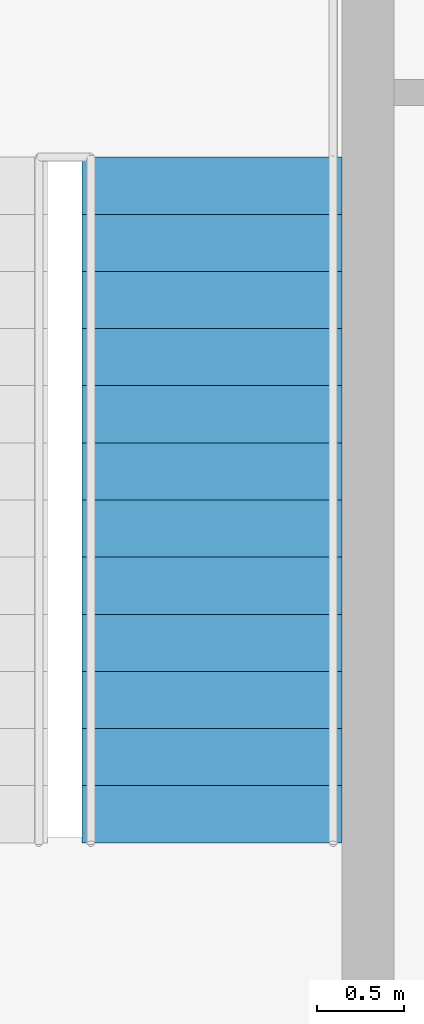
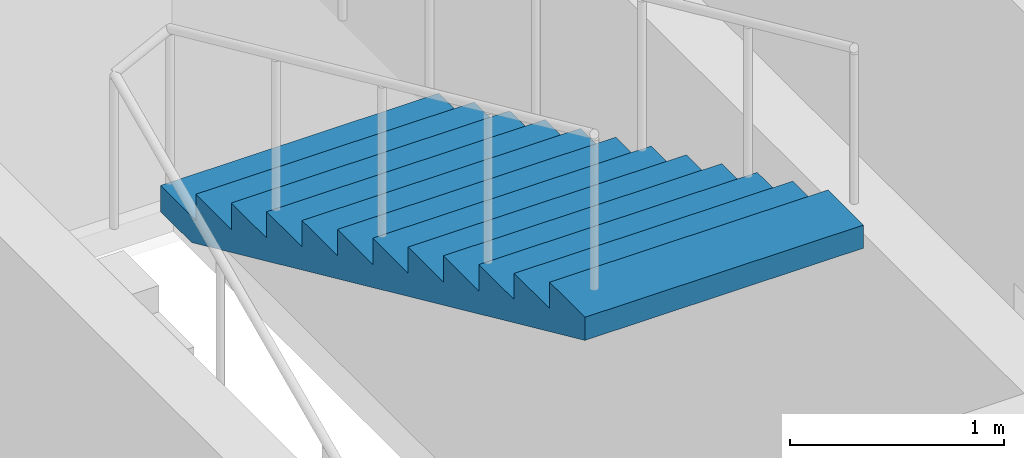
# One storey, part 10 of 11: 1 stair flight, 1 element without a shape of its own.
"""IFC4 building model written with IfcOpenShell, lengths in metres."""

from ifc_helpers import new_model, si_unit, direction, frame, origin, place, context, subcontext, project, spatial, polygons, material, type_object, element, aggregate, save


model = new_model("IFC4")

# Units and contexts
model_context = context("Model", 3, precision=1e-05, world=origin(), true_north=direction((0.0, 1.0)))
body_context = subcontext(model_context, "Body", "Model", "MODEL_VIEW")
ifc_project = project(units=[si_unit("LENGTHUNIT", "METRE"), si_unit("AREAUNIT", "SQUARE_METRE"), si_unit("VOLUMEUNIT", "CUBIC_METRE"), si_unit("PLANEANGLEUNIT", "RADIAN"), si_unit("MASSUNIT", "GRAM", prefix="KILO")], contexts=[model_context])

# Site, building, storey
site_placement = place(None, origin())
site = spatial("IfcSite", under=ifc_project, at=site_placement, CompositionType="ELEMENT")
building_placement = place(site_placement, origin())
building = spatial("IfcBuilding", under=site, at=building_placement, Name="Njiva Tower", CompositionType="ELEMENT")
storey_placement = place(building_placement, frame((0.0, 0.0, 223.8)))
storey = spatial("IfcBuildingStorey", under=building, at=storey_placement, Name="L50", CompositionType="ELEMENT", Elevation=223.8)

# Stair, stair flight
ifc_material = material(Name="Concrete C40/50", Category="concrete")
stair_type = type_object("IfcStairType", Name="ST4 Exit stair 1500", PredefinedType="HALF_TURN_STAIR", material=ifc_material)
stair_placement = place(storey_placement, origin())
stair = element("IfcStair", 1, at=stair_placement, inside=storey, type_object=stair_type, Name="Stair B", PredefinedType="HALF_TURN_STAIR")
stair_flight_type = type_object("IfcStairFlightType", Name="FL4 Stair flight 1500", PredefinedType="STRAIGHT", material=ifc_material)
stair_flight_placement = place(storey_placement, frame((13.45, 15.06, 1.95), z_axis=(0.0, 0.0, 1.0), x_axis=(0.0, -1.0, 0.0)))
stair_flight = element("IfcStairFlight", 2, at=stair_flight_placement, type_object=stair_flight_type, Name="ST-B flight 2", NumberOfRisers=13, NumberOfTreads=12, PredefinedType="STRAIGHT", RiserHeight=0.15, TreadLength=0.33, context=body_context, shape_type="Tessellation", body=[
    polygons([(0.0, 0.75, 0.0), (0.0, 0.375, 0.0), (0.0, 0.0, 0.0), (0.0, -0.375, 0.0), (0.0, -0.75, 0.0), (0.0, 0.75, 0.15), (0.0, 0.375, 0.15), (0.0, 0.0, 0.15), (0.0, -0.375, 0.15), (0.0, -0.75, 0.15), (0.33, 0.75, 0.15), (0.33, 0.375, 0.15), (0.33, 0.0, 0.15), (0.33, -0.375, 0.15), (0.33, -0.75, 0.15), (0.33, 0.75, 0.3), (0.33, 0.375, 0.3), (0.33, 0.0, 0.3), (0.33, -0.375, 0.3), (0.33, -0.75, 0.3), (0.66, 0.75, 0.3), (0.66, 0.375, 0.3), (0.66, 0.0, 0.3), (0.66, -0.375, 0.3), (0.66, -0.75, 0.3), (0.66, 0.75, 0.45), (0.66, 0.375, 0.45), (0.66, 0.0, 0.45), (0.66, -0.375, 0.45), (0.66, -0.75, 0.45), (0.99, 0.75, 0.45), (0.99, 0.375, 0.45), (0.99, 0.0, 0.45), (0.99, -0.375, 0.45), (0.99, -0.75, 0.45), (0.99, 0.75, 0.6), (0.99, 0.375, 0.6), (0.99, 0.0, 0.6), (0.99, -0.375, 0.6), (0.99, -0.75, 0.6), (1.32, 0.75, 0.6), (1.32, 0.375, 0.6), (1.32, 0.0, 0.6), (1.32, -0.375, 0.6), (1.32, -0.75, 0.6), (1.32, 0.75, 0.75), (1.32, 0.375, 0.75), (1.32, 0.0, 0.75), (1.32, -0.375, 0.75), (1.32, -0.75, 0.75), (1.65, 0.75, 0.75), (1.65, 0.375, 0.75), (1.65, 0.0, 0.75), (1.65, -0.375, 0.75), (1.65, -0.75, 0.75), (1.65, 0.75, 0.9), (1.65, 0.375, 0.9), (1.65, 0.0, 0.9), (1.65, -0.375, 0.9), (1.65, -0.75, 0.9), (1.98, 0.75, 0.9), (1.98, 0.375, 0.9), (1.98, 0.0, 0.9), (1.98, -0.375, 0.9), (1.98, -0.75, 0.9), (1.98, 0.75, 1.05), (1.98, 0.375, 1.05), (1.98, 0.0, 1.05), (1.98, -0.375, 1.05), (1.98, -0.75, 1.05), (2.31, 0.75, 1.05), (2.31, 0.375, 1.05), (2.31, 0.0, 1.05), (2.31, -0.375, 1.05), (2.31, -0.75, 1.05), (2.31, 0.75, 1.2), (2.31, 0.375, 1.2), (2.31, 0.0, 1.2), (2.31, -0.375, 1.2), (2.31, -0.75, 1.2), (2.64, 0.75, 1.2), (2.64, 0.375, 1.2), (2.64, 0.0, 1.2), (2.64, -0.375, 1.2), (2.64, -0.75, 1.2), (2.64, 0.75, 1.35), (2.64, 0.375, 1.35), (2.64, 0.0, 1.35), (2.64, -0.375, 1.35), (2.64, -0.75, 1.35), (2.97, 0.75, 1.35), (2.97, 0.375, 1.35), (2.97, 0.0, 1.35), (2.97, -0.375, 1.35), (2.97, -0.75, 1.35), (2.97, 0.75, 1.5), (2.97, 0.375, 1.5), (2.97, 0.0, 1.5), (2.97, -0.375, 1.5), (2.97, -0.75, 1.5), (3.3, 0.75, 1.5), (3.3, 0.375, 1.5), (3.3, 0.0, 1.5), (3.3, -0.375, 1.5), (3.3, -0.75, 1.5), (3.3, 0.75, 1.65), (3.3, 0.375, 1.65), (3.3, 0.0, 1.65), (3.3, -0.375, 1.65), (3.3, -0.75, 1.65), (3.63, 0.75, 1.65), (3.63, 0.375, 1.65), (3.63, 0.0, 1.65), (3.63, -0.375, 1.65), (3.63, -0.75, 1.65), (3.63, 0.75, 1.8), (3.63, 0.375, 1.8), (3.63, 0.0, 1.8), (3.63, -0.375, 1.8), (3.63, -0.75, 1.8), (3.96, 0.75, 1.8), (3.96, 0.375, 1.8), (3.96, 0.0, 1.8), (3.96, -0.375, 1.8), (3.96, -0.75, 1.8), (3.96, 0.75, 1.6682), (3.96, 0.375, 1.6682), (3.96, 0.0, 1.6682), (3.96, -0.375, 1.6682), (3.96, -0.75, 1.6682), (0.29, 0.75, 0.0), (0.29, 0.375, 0.0), (0.29, 0.0, 0.0), (0.29, -0.375, 0.0), (0.29, -0.75, 0.0)], [[[1, 6, 11, 16, 21, 26, 31, 36, 41, 46, 51, 56, 61, 66, 71, 76, 81, 86, 91, 96, 101, 106, 111, 116, 121, 126, 131]], [[135, 130, 125, 120, 115, 110, 105, 100, 95, 90, 85, 80, 75, 70, 65, 60, 55, 50, 45, 40, 35, 30, 25, 20, 15, 10, 5]], [[6, 1, 2, 7]], [[7, 2, 3, 8]], [[8, 3, 4, 9]], [[9, 4, 5, 10]], [[11, 6, 7, 12]], [[12, 7, 8, 13]], [[13, 8, 9, 14]], [[14, 9, 10, 15]], [[16, 11, 12, 17]], [[17, 12, 13, 18]], [[18, 13, 14, 19]], [[19, 14, 15, 20]], [[21, 16, 17, 22]], [[22, 17, 18, 23]], [[23, 18, 19, 24]], [[24, 19, 20, 25]], [[26, 21, 22, 27]], [[27, 22, 23, 28]], [[28, 23, 24, 29]], [[29, 24, 25, 30]], [[31, 26, 27, 32]], [[32, 27, 28, 33]], [[33, 28, 29, 34]], [[34, 29, 30, 35]], [[36, 31, 32, 37]], [[37, 32, 33, 38]], [[38, 33, 34, 39]], [[39, 34, 35, 40]], [[41, 36, 37, 42]], [[42, 37, 38, 43]], [[43, 38, 39, 44]], [[44, 39, 40, 45]], [[46, 41, 42, 47]], [[47, 42, 43, 48]], [[48, 43, 44, 49]], [[49, 44, 45, 50]], [[51, 46, 47, 52]], [[52, 47, 48, 53]], [[53, 48, 49, 54]], [[54, 49, 50, 55]], [[56, 51, 52, 57]], [[57, 52, 53, 58]], [[58, 53, 54, 59]], [[59, 54, 55, 60]], [[61, 56, 57, 62]], [[62, 57, 58, 63]], [[63, 58, 59, 64]], [[64, 59, 60, 65]], [[66, 61, 62, 67]], [[67, 62, 63, 68]], [[68, 63, 64, 69]], [[69, 64, 65, 70]], [[71, 66, 67, 72]], [[72, 67, 68, 73]], [[73, 68, 69, 74]], [[74, 69, 70, 75]], [[76, 71, 72, 77]], [[77, 72, 73, 78]], [[78, 73, 74, 79]], [[79, 74, 75, 80]], [[81, 76, 77, 82]], [[82, 77, 78, 83]], [[83, 78, 79, 84]], [[84, 79, 80, 85]], [[86, 81, 82, 87]], [[87, 82, 83, 88]], [[88, 83, 84, 89]], [[89, 84, 85, 90]], [[91, 86, 87, 92]], [[92, 87, 88, 93]], [[93, 88, 89, 94]], [[94, 89, 90, 95]], [[96, 91, 92, 97]], [[97, 92, 93, 98]], [[98, 93, 94, 99]], [[99, 94, 95, 100]], [[101, 96, 97, 102]], [[102, 97, 98, 103]], [[103, 98, 99, 104]], [[104, 99, 100, 105]], [[106, 101, 102, 107]], [[107, 102, 103, 108]], [[108, 103, 104, 109]], [[109, 104, 105, 110]], [[111, 106, 107, 112]], [[112, 107, 108, 113]], [[113, 108, 109, 114]], [[114, 109, 110, 115]], [[116, 111, 112, 117]], [[117, 112, 113, 118]], [[118, 113, 114, 119]], [[119, 114, 115, 120]], [[121, 116, 117, 122]], [[122, 117, 118, 123]], [[123, 118, 119, 124]], [[124, 119, 120, 125]], [[126, 121, 122, 127]], [[127, 122, 123, 128]], [[128, 123, 124, 129]], [[129, 124, 125, 130]], [[131, 126, 127, 132]], [[132, 127, 128, 133]], [[133, 128, 129, 134]], [[134, 129, 130, 135]], [[1, 131, 132, 2]], [[2, 132, 133, 3]], [[3, 133, 134, 4]], [[4, 134, 135, 5]]], closed=True),
])
aggregate(stair, [stair_flight])

save(model, "model.ifc")
